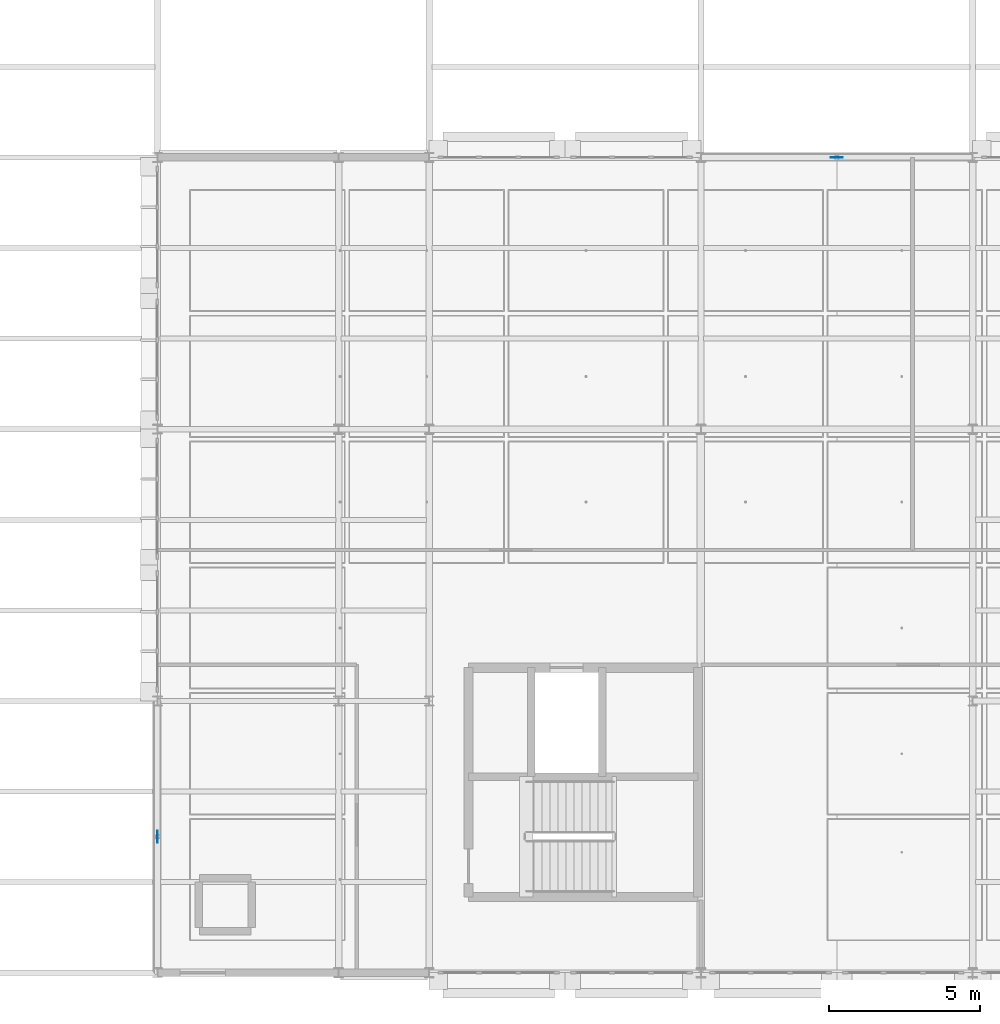
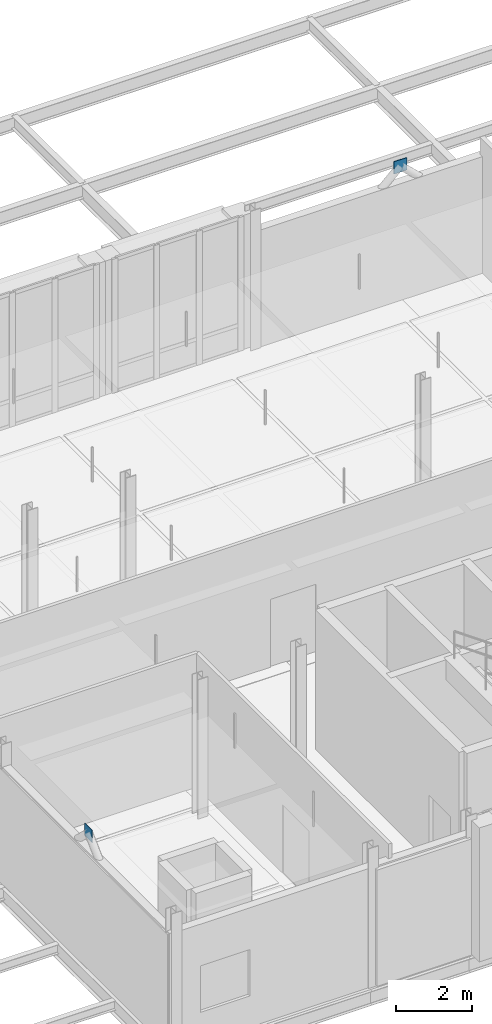
# One storey, part 86 of 140: 2 plates.
"""IFC4 building model written with IfcOpenShell, lengths in metres."""

from ifc_helpers import new_model, si_unit, direction, frame, origin, origin_2d, place, context, subcontext, project, spatial, rectangle, extrude, material, layer, layer_set, type_object, element, save


model = new_model("IFC4")

# Units and contexts
model_context = context("Model", 3, precision=1e-05, world=origin(), true_north=direction((0.0, 1.0)))
body_context = subcontext(model_context, "Body", "Model", "MODEL_VIEW")
ifc_project = project(units=[si_unit("LENGTHUNIT", "METRE"), si_unit("AREAUNIT", "SQUARE_METRE"), si_unit("VOLUMEUNIT", "CUBIC_METRE"), si_unit("PLANEANGLEUNIT", "RADIAN"), si_unit("MASSUNIT", "GRAM", prefix="KILO"), si_unit("THERMODYNAMICTEMPERATUREUNIT", "KELVIN"), si_unit("POWERUNIT", "WATT")], contexts=[model_context])

# Site, building, storey
site_placement = place(None, origin())
site = spatial("IfcSite", under=ifc_project, at=site_placement, CompositionType="ELEMENT")
building_placement = place(site_placement, origin())
building = spatial("IfcBuilding", under=site, at=building_placement, Name="Tallowbark Science Centre", CompositionType="ELEMENT")
storey_placement = place(building_placement, frame((0.0, 0.0, 9.89990234375)))
storey = spatial("IfcBuildingStorey", under=building, at=storey_placement, Name="L02", CompositionType="ELEMENT", Elevation=9.89990234375)

# Plates
ifc_material = material(Name="Structural Steel Grade 300PLUS (300 MPa)", Category="steel")
ifc_layer = layer(ifc_material, 0.02001953125)
ifc_layer_set = layer_set([ifc_layer], Name="Structural Steel Grade 300PLUS (300 MPa)")
plate_type = type_object("IfcPlateType", Name="PLT-GUS-20", PredefinedType="SHEET", material=ifc_layer_set)
for number, where, z_axis, x_axis, name in (
    (1, (63.0, 76.5, 4.050048828125), (0.0, 0.0, 1.0), (0.0, 1.0, 0.0), "Chevron Brace Apex Gusset CBF-LAB-W1M L02"),
    (2, (85.5, 99.0, 4.050048828125), (0.0, 0.0, 1.0), (1.0, 0.0, 0.0), "Chevron Brace Apex Gusset CBF-LAB-N1 L02"),
):
    element("IfcPlate", number, at=place(storey_placement, frame(where, z_axis=z_axis, x_axis=x_axis)), inside=storey, type_object=plate_type, Name=name, PredefinedType="SHEET", context=body_context, shape_type="SweptSolid", body=[
        extrude(rectangle(XDim=0.39990234375, YDim=0.02001953125, at=origin_2d()), origin(), (0.0, 0.0, 1.0), 0.39990234375),
    ])

save(model, "model.ifc")
